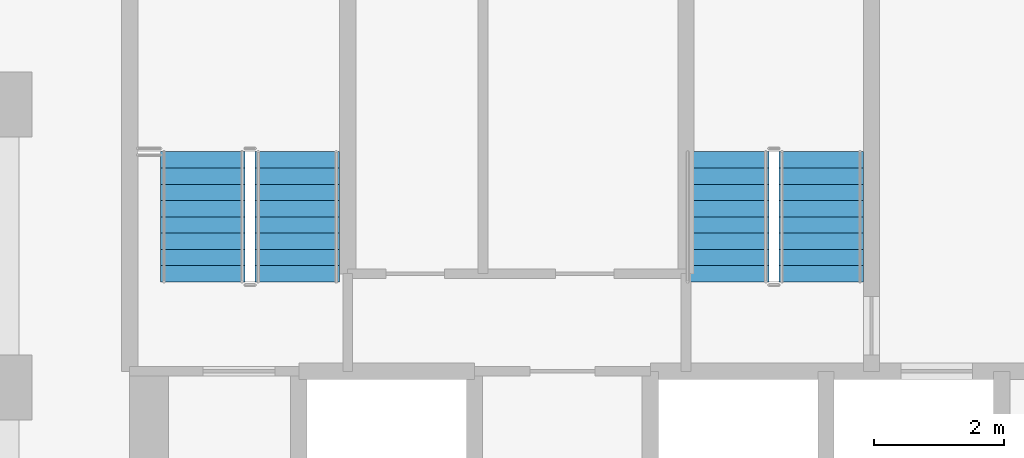
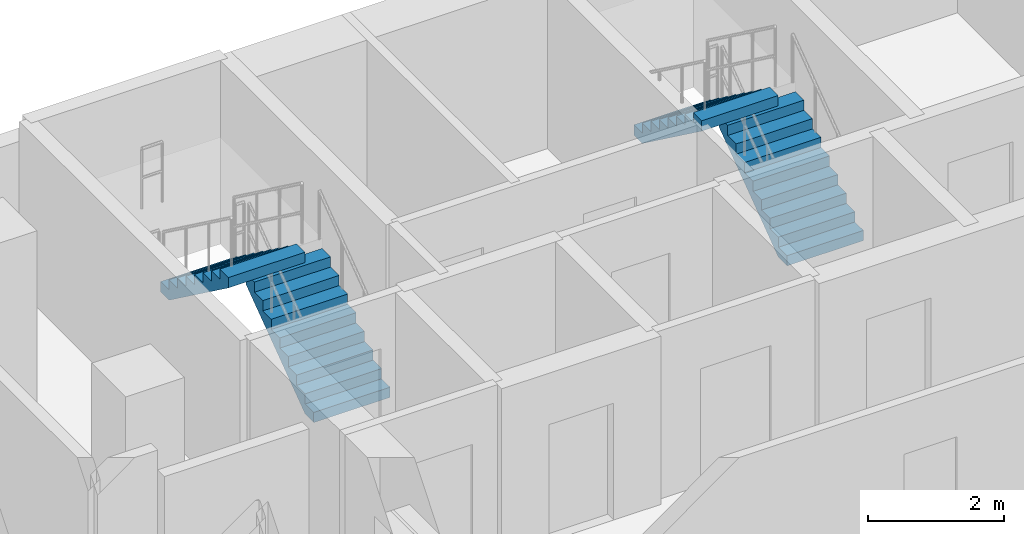
# One storey, part 9 of 13: 4 stair flights, 2 elements without a shape of their own.
"""IFC4 building model written with IfcOpenShell, lengths in metres."""

from ifc_helpers import new_model, si_unit, direction, frame, origin, place, context, subcontext, project, spatial, polyline, outline, extrude, material, type_object, element, aggregate, save


model = new_model("IFC4")

# Units and contexts
model_context = context("Model", 3, precision=1e-05, world=origin(), true_north=direction((0.0, 1.0)))
body_context = subcontext(model_context, "Body", "Model", "MODEL_VIEW")
ifc_project = project(units=[si_unit("LENGTHUNIT", "METRE"), si_unit("AREAUNIT", "SQUARE_METRE"), si_unit("VOLUMEUNIT", "CUBIC_METRE"), si_unit("PLANEANGLEUNIT", "RADIAN"), si_unit("MASSUNIT", "GRAM", prefix="KILO")], contexts=[model_context])

# Site, building, storey
site_placement = place(None, origin())
site = spatial("IfcSite", under=ifc_project, at=site_placement, CompositionType="ELEMENT")
building_placement = place(site_placement, origin())
building = spatial("IfcBuilding", under=site, at=building_placement, Name="Nakaniwa Court", CompositionType="ELEMENT")
storey_placement = place(building_placement, frame((0.0, 0.0, 133.800048828125)))
storey = spatial("IfcBuildingStorey", under=building, at=storey_placement, Name="L34", CompositionType="ELEMENT", Elevation=133.800048828125)

# Stair, stair flights
ifc_material = material(Name="Concrete C80/100", Category="concrete")
stair_type = type_object("IfcStairType", Name="Dog leg stair 1300 wide 18 risers", PredefinedType="HALF_TURN_STAIR", material=ifc_material)
stair_1_placement = place(storey_placement, origin())
stair_1 = element("IfcStair", 1, at=stair_1_placement, inside=storey, type_object=stair_type, Name="L34 Stair ST1", PredefinedType="HALF_TURN_STAIR")
stair_flight_type = type_object("IfcStairFlightType", Name="Stair flight 1300 wide 9 risers", PredefinedType="STRAIGHT", material=ifc_material)
stair_flight_1_placement = place(storey_placement, frame((74.574951171875, 98.27490234375, 0.0), z_axis=(0.0, 0.0, 1.0), x_axis=(0.0, 1.0, 0.0)))
stair_flight_1 = element("IfcStairFlight", 2, at=stair_flight_1_placement, type_object=stair_flight_type, Name="ST1 flight 1", NumberOfRisers=9, NumberOfTreads=8, PredefinedType="STRAIGHT", RiserHeight=0.183333333, TreadLength=0.25, context=body_context, shape_type="SweptSolid", body=[
    extrude(outline(polyline([(0.0, 0.0), (0.0, 0.026123046875), (0.0, 0.052490234375), (0.0, 0.07861328125), (0.0, 0.104736328125), (0.0, 0.130859375), (0.0, 0.1572265625), (0.0, 0.183349609375), (0.25, 0.183349609375), (0.25, 0.36669921875), (0.5, 0.36669921875), (0.5, 0.550048828125), (0.75, 0.550048828125), (0.75, 0.7333984375), (1.0, 0.7333984375), (1.0, 0.916748046875), (1.25, 0.916748046875), (1.25, 1.10009765625), (1.5, 1.10009765625), (1.5, 1.283447265625), (1.75, 1.283447265625), (1.75, 1.466552734375), (2.0, 1.466552734375), (2.0, 1.64990234375), (2.0, 1.59716796875), (2.0, 1.54443359375), (2.0, 1.49169921875), (2.0, 1.43896484375), (2.0, 1.38623046875), (2.0, 1.33349609375), (2.0, 1.28076171875), (0.25341796875, 0.0), (0.0, 0.0)])), frame((0.0, 0.64990234375, 0.0), z_axis=(0.0, -1.0, 0.0), x_axis=(1.0, 0.0, 0.0)), (0.0, 0.0, 1.0), 1.300048828125),
])
stair_flight_2_placement = place(storey_placement, frame((73.125, 100.27490234375, 1.64990234375), z_axis=(0.0, 0.0, 1.0), x_axis=(0.0, -1.0, 0.0)))
stair_flight_2 = element("IfcStairFlight", 3, at=stair_flight_2_placement, type_object=stair_flight_type, Name="ST1 flight 2", NumberOfRisers=9, NumberOfTreads=8, PredefinedType="STRAIGHT", RiserHeight=0.183333333, TreadLength=0.25, context=body_context, shape_type="SweptSolid", body=[
    extrude(outline(polyline([(0.0, 0.0), (0.0, 0.026123046875), (0.0, 0.052490234375), (0.0, 0.07861328125), (0.0, 0.104736328125), (0.0, 0.130859375), (0.0, 0.1572265625), (0.0, 0.183349609375), (0.25, 0.183349609375), (0.25, 0.36669921875), (0.5, 0.36669921875), (0.5, 0.550048828125), (0.75, 0.550048828125), (0.75, 0.7333984375), (1.0, 0.7333984375), (1.0, 0.916748046875), (1.25, 0.916748046875), (1.25, 1.10009765625), (1.5, 1.10009765625), (1.5, 1.283447265625), (1.75, 1.283447265625), (1.75, 1.466552734375), (2.0, 1.466552734375), (2.0, 1.64990234375), (2.0, 1.59716796875), (2.0, 1.54443359375), (2.0, 1.49169921875), (2.0, 1.43896484375), (2.0, 1.38623046875), (2.0, 1.33349609375), (2.0, 1.28076171875), (0.25341796875, 0.0), (0.0, 0.0)])), frame((0.0, 0.64990234375, 0.0), z_axis=(0.0, -1.0, 0.0), x_axis=(1.0, 0.0, 0.0)), (0.0, 0.0, 1.0), 1.300048828125),
])
aggregate(stair_1, [stair_flight_1, stair_flight_2])

stair_2_placement = place(storey_placement, origin())
stair_2 = element("IfcStair", 4, at=stair_2_placement, inside=storey, type_object=stair_type, Name="L34 Stair ST2", PredefinedType="HALF_TURN_STAIR")
stair_flight_3_placement = place(storey_placement, frame((82.625, 98.27490234375, 0.0), z_axis=(0.0, 0.0, 1.0), x_axis=(0.0, 1.0, 0.0)))
stair_flight_3 = element("IfcStairFlight", 5, at=stair_flight_3_placement, type_object=stair_flight_type, Name="ST2 flight 1", NumberOfRisers=9, NumberOfTreads=8, PredefinedType="STRAIGHT", RiserHeight=0.183333333, TreadLength=0.25, context=body_context, shape_type="SweptSolid", body=[
    extrude(outline(polyline([(0.0, 0.0), (0.0, 0.026123046875), (0.0, 0.052490234375), (0.0, 0.07861328125), (0.0, 0.104736328125), (0.0, 0.130859375), (0.0, 0.1572265625), (0.0, 0.183349609375), (0.25, 0.183349609375), (0.25, 0.36669921875), (0.5, 0.36669921875), (0.5, 0.550048828125), (0.75, 0.550048828125), (0.75, 0.7333984375), (1.0, 0.7333984375), (1.0, 0.916748046875), (1.25, 0.916748046875), (1.25, 1.10009765625), (1.5, 1.10009765625), (1.5, 1.283447265625), (1.75, 1.283447265625), (1.75, 1.466552734375), (2.0, 1.466552734375), (2.0, 1.64990234375), (2.0, 1.59716796875), (2.0, 1.54443359375), (2.0, 1.49169921875), (2.0, 1.43896484375), (2.0, 1.38623046875), (2.0, 1.33349609375), (2.0, 1.28076171875), (0.25341796875, 0.0), (0.0, 0.0)])), frame((0.0, 0.64990234375, 0.0), z_axis=(0.0, -1.0, 0.0), x_axis=(1.0, 0.0, 0.0)), (0.0, 0.0, 1.0), 1.300048828125),
])
stair_flight_4_placement = place(storey_placement, frame((81.175048828125, 100.27490234375, 1.64990234375), z_axis=(0.0, 0.0, 1.0), x_axis=(0.0, -1.0, 0.0)))
stair_flight_4 = element("IfcStairFlight", 6, at=stair_flight_4_placement, type_object=stair_flight_type, Name="ST2 flight 2", NumberOfRisers=9, NumberOfTreads=8, PredefinedType="STRAIGHT", RiserHeight=0.183333333, TreadLength=0.25, context=body_context, shape_type="SweptSolid", body=[
    extrude(outline(polyline([(0.0, 0.0), (0.0, 0.026123046875), (0.0, 0.052490234375), (0.0, 0.07861328125), (0.0, 0.104736328125), (0.0, 0.130859375), (0.0, 0.1572265625), (0.0, 0.183349609375), (0.25, 0.183349609375), (0.25, 0.36669921875), (0.5, 0.36669921875), (0.5, 0.550048828125), (0.75, 0.550048828125), (0.75, 0.7333984375), (1.0, 0.7333984375), (1.0, 0.916748046875), (1.25, 0.916748046875), (1.25, 1.10009765625), (1.5, 1.10009765625), (1.5, 1.283447265625), (1.75, 1.283447265625), (1.75, 1.466552734375), (2.0, 1.466552734375), (2.0, 1.64990234375), (2.0, 1.59716796875), (2.0, 1.54443359375), (2.0, 1.49169921875), (2.0, 1.43896484375), (2.0, 1.38623046875), (2.0, 1.33349609375), (2.0, 1.28076171875), (0.25341796875, 0.0), (0.0, 0.0)])), frame((0.0, 0.64990234375, 0.0), z_axis=(0.0, -1.0, 0.0), x_axis=(1.0, 0.0, 0.0)), (0.0, 0.0, 1.0), 1.300048828125),
])
aggregate(stair_2, [stair_flight_3, stair_flight_4])

save(model, "model.ifc")
